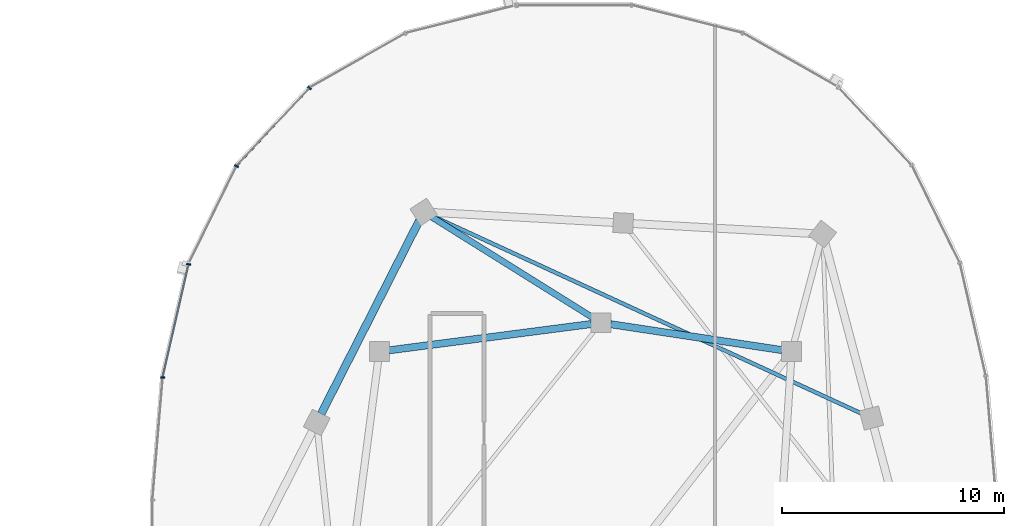
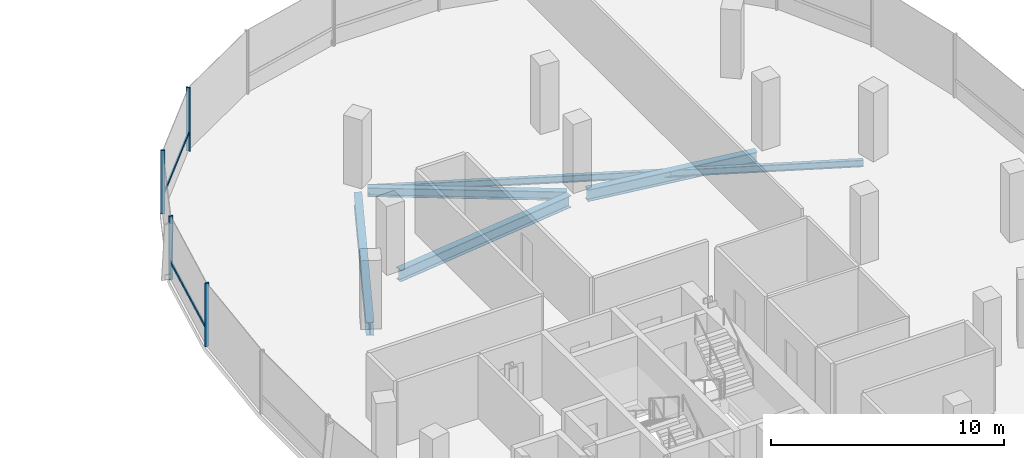
# One storey, part 11 of 24: 6 members, 5 beams, 1 element without a shape of its own.
"""IFC4 building model written with IfcOpenShell, lengths in metres."""

from ifc_helpers import new_model, si_unit, direction, frame, origin, origin_2d, place, context, subcontext, project, spatial, rectangle, i_section, extrude, material, material_profile, profile_set, type_object, element, aggregate, save


model = new_model("IFC4")

# Units and contexts
model_context = context("Model", 3, precision=1e-05, world=origin(), true_north=direction((0.0, 1.0)))
body_context = subcontext(model_context, "Body", "Model", "MODEL_VIEW")
ifc_project = project(units=[si_unit("LENGTHUNIT", "METRE"), si_unit("AREAUNIT", "SQUARE_METRE"), si_unit("VOLUMEUNIT", "CUBIC_METRE"), si_unit("PLANEANGLEUNIT", "RADIAN"), si_unit("MASSUNIT", "GRAM", prefix="KILO"), si_unit("THERMODYNAMICTEMPERATUREUNIT", "KELVIN"), si_unit("POWERUNIT", "WATT")], contexts=[model_context])

# Site, building, storey
site_placement = place(None, origin())
site = spatial("IfcSite", under=ifc_project, at=site_placement, CompositionType="ELEMENT")
building_placement = place(site_placement, origin())
building = spatial("IfcBuilding", under=site, at=building_placement, Name="Cundina Bronze Exchange", CompositionType="ELEMENT")
storey_placement = place(building_placement, frame((0.0, 0.0, 231.39990234375)))
storey = spatial("IfcBuildingStorey", under=building, at=storey_placement, Name="L61", CompositionType="ELEMENT", Elevation=231.39990234375)

# Beams
ifc_material_1 = material(Name="Steel ASTM A992 Grade 50", Category="steel")
ifc_material_profile_1 = material_profile(ifc_material_1, i_section(OverallWidth=0.280029296875, OverallDepth=0.462890625, WebThickness=0.0107421875, FlangeThickness=0.017333984375, FilletRadius=0.011962890625, at=origin_2d()), Name="W18X76", Category="steel")
ifc_profile_set_1 = profile_set([ifc_material_profile_1], Name="Steel ASTM A992 Grade 50")
beam_type_1 = type_object("IfcBeamType", Name="BM-FLR-W18A", PredefinedType="BEAM", material=ifc_profile_set_1)
beam_1_placement = place(storey_placement, frame((32.82861328125, 11.031982421875, -0.491455078125), z_axis=(-0.847995098703, 0.530004068452, 0.0), x_axis=(-0.530004068452, -0.847995098703, 0.0)))
element("IfcBeam", 1, at=beam_1_placement, inside=storey, type_object=beam_type_1, Name="L61 Leg E Chordal Floor Beam 12", PredefinedType="BEAM", context=body_context, shape_type="SweptSolid", body=[
    extrude(i_section(OverallWidth=0.280029296875, OverallDepth=0.462890625, WebThickness=0.0107421875, FlangeThickness=0.017333984375, FilletRadius=0.011962890625, at=origin_2d()), origin(), (0.0, 0.0, 1.0), 8.55810546875),
])
ifc_material_profile_2 = material_profile(ifc_material_1, i_section(OverallWidth=0.172119140625, OverallDepth=0.35791015625, WebThickness=0.0078125, FlangeThickness=0.01318359375, FilletRadius=0.010009765625, at=origin_2d()), Name="W14X38", Category="steel")
ifc_profile_set_2 = profile_set([ifc_material_profile_2], Name="Steel ASTM A992 Grade 50")
beam_type_2 = type_object("IfcBeamType", Name="BM-JST-W14", PredefinedType="JOIST", material=ifc_profile_set_2)
beam_2_placement = place(storey_placement, frame((45.002197265625, 6.68310546875, -0.43896484375), z_axis=(-0.908355026127, 0.418199888224, 0.0), x_axis=(-0.418199888224, -0.908355026127, 0.0)))
element("IfcBeam", 2, at=beam_2_placement, inside=storey, type_object=beam_type_2, Name="L61 Leg E Lobe Floor Joist 09-12", PredefinedType="JOIST", context=body_context, shape_type="SweptSolid", body=[
    extrude(i_section(OverallWidth=0.172119140625, OverallDepth=0.35791015625, WebThickness=0.0078125, FlangeThickness=0.01318359375, FilletRadius=0.010009765625, at=origin_2d()), origin(), (0.0, 0.0, 1.0), 21.362060546875),
])
ifc_material_profile_3 = material_profile(ifc_material_1, i_section(OverallWidth=0.324951171875, OverallDepth=0.615966796875, WebThickness=0.013916015625, FlangeThickness=0.021484375, FilletRadius=0.01611328125, at=origin_2d()), Name="W24X117", Category="steel")
ifc_profile_set_3 = profile_set([ifc_material_profile_3], Name="Steel ASTM A992 Grade 50")
beam_type_3 = type_object("IfcBeamType", Name="BM-RING-W24", PredefinedType="USERDEFINED", material=ifc_profile_set_3)
beam_3_placement = place(storey_placement, frame((41.366943359375, 9.5654296875, -0.56787109375), z_axis=(-0.988764903598, 0.149478979839, 0.0), x_axis=(-0.149478979839, -0.988764903598, 0.0)))
element("IfcBeam", 3, at=beam_3_placement, inside=storey, type_object=beam_type_3, Name="L61 E Inner Structural Ring Girder 05", ObjectType="GIRDER", PredefinedType="USERDEFINED", context=body_context, shape_type="SweptSolid", body=[
    extrude(i_section(OverallWidth=0.324951171875, OverallDepth=0.615966796875, WebThickness=0.013916015625, FlangeThickness=0.021484375, FilletRadius=0.01611328125, at=origin_2d()), origin(), (0.0, 0.0, 1.0), 7.82177734375),
])
beam_4_placement = place(storey_placement, frame((32.765625, 10.743408203125, -0.56787109375), z_axis=(-0.991656498582, -0.128908451316, 0.0), x_axis=(0.128908451316, -0.991656498582, 0.0)))
element("IfcBeam", 4, at=beam_4_placement, inside=storey, type_object=beam_type_3, Name="L61 E Inner Structural Ring Girder 06", ObjectType="GIRDER", PredefinedType="USERDEFINED", context=body_context, shape_type="SweptSolid", body=[
    extrude(i_section(OverallWidth=0.324951171875, OverallDepth=0.615966796875, WebThickness=0.013916015625, FlangeThickness=0.021484375, FilletRadius=0.01611328125, at=origin_2d()), origin(), (0.0, 0.0, 1.0), 9.208251953125),
])
ifc_material_profile_4 = material_profile(ifc_material_1, i_section(OverallWidth=0.35498046875, OverallDepth=0.695068359375, WebThickness=0.015380859375, FlangeThickness=0.02490234375, FilletRadius=0.01806640625, at=origin_2d()), Name="W27X146", Category="steel")
ifc_profile_set_4 = profile_set([ifc_material_profile_4], Name="Steel ASTM A992 Grade 50")
beam_type_4 = type_object("IfcBeamType", Name="BM-RING-W27", PredefinedType="USERDEFINED", material=ifc_profile_set_4)
beam_5_placement = place(storey_placement, frame((25.001708984375, 15.409423828125, -0.607421875), z_axis=(-0.452846871434, -0.891588308039, 0.0), x_axis=(0.891588308039, -0.452846871434, 0.0)))
element("IfcBeam", 5, at=beam_5_placement, inside=storey, type_object=beam_type_4, Name="L61 E Perimeter Ring Girder 12", ObjectType="GIRDER", PredefinedType="USERDEFINED", context=body_context, shape_type="SweptSolid", body=[
    extrude(i_section(OverallWidth=0.35498046875, OverallDepth=0.695068359375, WebThickness=0.015380859375, FlangeThickness=0.02490234375, FilletRadius=0.01806640625, at=origin_2d()), origin(), (0.0, 0.0, 1.0), 9.779052734375),
])

# Curtain wall, members
ifc_material_2 = material(Name="Anodised Bronze Aluminium 6063-T6", Category="aluminium")
curtain_wall_type = type_object("IfcCurtainWallType", Name="CWS-UPP-OFF", PredefinedType="NOTDEFINED", material=ifc_material_2)
curtain_wall_placement = place(storey_placement, origin())
curtain_wall = element("IfcCurtainWall", 6, at=curtain_wall_placement, inside=storey, type_object=curtain_wall_type, Name="L61 CW-05 Curtain Wall Run CWR-L61-E2", PredefinedType="NOTDEFINED")
ifc_material_profile_5 = material_profile(ifc_material_2, rectangle(XDim=0.070068359375, YDim=0.18994140625, at=origin_2d()), Name="AL70X190", Category="aluminium")
ifc_profile_set_5 = profile_set([ifc_material_profile_5], Name="Anodised Bronze Aluminium 6063-T6")
member_type_1 = type_object("IfcMemberType", Name="CWM-MUL-190", PredefinedType="MULLION", material=ifc_profile_set_5)
member_1_placement = place(storey_placement, frame((20.05126953125, 21.392578125, 0.0), z_axis=(0.0, 0.0, 1.0), x_axis=(-0.684292606175, -0.729207535023, 0.0)))
member_1 = element("IfcMember", 7, at=member_1_placement, type_object=member_type_1, Name="CW-05 Mullion 3", PredefinedType="MULLION", context=body_context, shape_type="SweptSolid", body=[
    extrude(rectangle(XDim=0.070068359375, YDim=0.18994140625, at=origin_2d()), origin(), (0.0, 0.0, 1.0), 3.320068359375),
])
member_2_placement = place(storey_placement, frame((16.754638671875, 17.866455078125, 0.0), z_axis=(0.0, 0.0, 1.0), x_axis=(-0.440566004113, -0.897720221461, 0.0)))
member_2 = element("IfcMember", 8, at=member_2_placement, type_object=member_type_1, Name="CW-05 Mullion 4", PredefinedType="MULLION", context=body_context, shape_type="SweptSolid", body=[
    extrude(rectangle(XDim=0.070068359375, YDim=0.18994140625, at=origin_2d()), origin(), (0.0, 0.0, 1.0), 3.320068359375),
])
member_3_placement = place(storey_placement, frame((14.59228515625, 13.440673828125, 0.0), z_axis=(0.0, 0.0, 1.0), x_axis=(-0.223250116011, -0.974761194191, 0.0)))
member_3 = element("IfcMember", 9, at=member_3_placement, type_object=member_type_1, Name="CW-05 Mullion 5", PredefinedType="MULLION", context=body_context, shape_type="SweptSolid", body=[
    extrude(rectangle(XDim=0.070068359375, YDim=0.18994140625, at=origin_2d()), origin(), (0.0, 0.0, 1.0), 3.320068359375),
])
member_4_placement = place(storey_placement, frame((13.427490234375, 8.33056640625, 0.0), z_axis=(0.0, 0.0, 1.0), x_axis=(-0.083677843332, -0.99649285925, 0.0)))
member_4 = element("IfcMember", 10, at=member_4_placement, type_object=member_type_1, Name="CW-05 Mullion 6", PredefinedType="MULLION", context=body_context, shape_type="SweptSolid", body=[
    extrude(rectangle(XDim=0.070068359375, YDim=0.18994140625, at=origin_2d()), origin(), (0.0, 0.0, 1.0), 3.320068359375),
])
ifc_material_profile_6 = material_profile(ifc_material_2, rectangle(XDim=0.06494140625, YDim=0.14990234375, at=origin_2d()), Name="AL65X150", Category="aluminium")
ifc_profile_set_6 = profile_set([ifc_material_profile_6], Name="Anodised Bronze Aluminium 6063-T6")
member_type_2 = type_object("IfcMemberType", Name="CWM-TRN-150", PredefinedType="USERDEFINED", material=ifc_profile_set_6)
member_5_placement = place(storey_placement, frame((20.02490234375, 21.364501953125, 0.920166015625), z_axis=(-0.684336416554, -0.729166420633, 0.0), x_axis=(0.729166420633, -0.684336416554, 0.0)))
member_5 = element("IfcMember", 11, at=member_5_placement, type_object=member_type_2, Name="CW-05 Spandrel Transom 3", ObjectType="TRANSOM", PredefinedType="USERDEFINED", context=body_context, shape_type="SweptSolid", body=[
    extrude(rectangle(XDim=0.06494140625, YDim=0.14990234375, at=origin_2d()), origin(), (0.0, 0.0, 1.0), 4.76513671875),
])
member_6_placement = place(storey_placement, frame((14.58349609375, 13.403076171875, 0.920166015625), z_axis=(-0.22328343579, -0.974753562344, 0.0), x_axis=(0.974753562344, -0.22328343579, 0.0)))
member_6 = element("IfcMember", 12, at=member_6_placement, type_object=member_type_2, Name="CW-05 Spandrel Transom 5", ObjectType="TRANSOM", PredefinedType="USERDEFINED", context=body_context, shape_type="SweptSolid", body=[
    extrude(rectangle(XDim=0.06494140625, YDim=0.14990234375, at=origin_2d()), origin(), (0.0, 0.0, 1.0), 5.159912109375),
])
aggregate(curtain_wall, [member_1, member_5, member_2, member_3, member_6, member_4])

save(model, "model.ifc")
